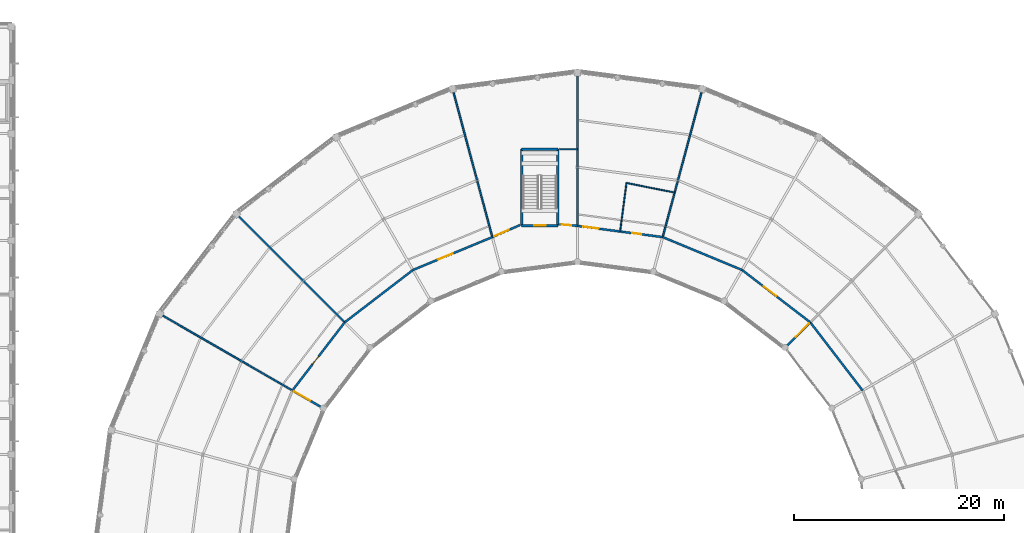
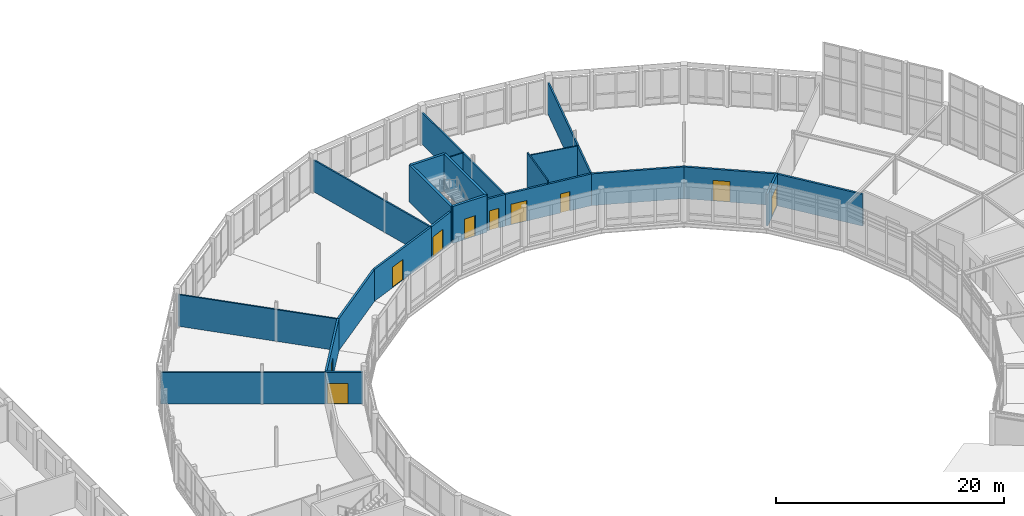
# One storey, part 163 of 185: 23 walls, 10 doors, 10 openings.
"""IFC4 building model written with IfcOpenShell, lengths in metres."""

from ifc_helpers import new_model, si_unit, direction, frame, frame_2d, origin, place, context, subcontext, project, spatial, rectangle, extrude, material, layer, layer_set, type_object, element, fill, save


model = new_model("IFC4")

# Units and contexts
model_context = context("Model", 3, precision=1e-05, world=origin(), true_north=direction((0.0, 1.0)))
body_context = subcontext(model_context, "Body", "Model", "MODEL_VIEW")
ifc_project = project(units=[si_unit("LENGTHUNIT", "METRE"), si_unit("AREAUNIT", "SQUARE_METRE"), si_unit("VOLUMEUNIT", "CUBIC_METRE"), si_unit("PLANEANGLEUNIT", "RADIAN"), si_unit("MASSUNIT", "GRAM", prefix="KILO")], contexts=[model_context])

# Site, building, storey
site_placement = place(None, origin())
site = spatial("IfcSite", under=ifc_project, at=site_placement, CompositionType="ELEMENT")
building_placement = place(site_placement, origin())
building = spatial("IfcBuilding", under=site, at=building_placement, Name="Vondelvale Polytechnic", CompositionType="ELEMENT")
storey_placement = place(building_placement, frame((0.0, 0.0, 9.60009765625)))
storey = spatial("IfcBuildingStorey", under=building, at=storey_placement, Name="L02", CompositionType="ELEMENT", Elevation=9.60009765625)

# Walls
ifc_material_1 = material(Name="Concrete N40 (f'c = 40 MPa)", Category="concrete")
ifc_layer_1 = layer(ifc_material_1, 0.25)
ifc_layer_set_1 = layer_set([ifc_layer_1], Name="WL-CORE-250")
wall_type_1 = type_object("IfcWallType", Name="WL-CORE-250", PredefinedType="SOLIDWALL", material=ifc_layer_set_1)
wall_1_placement = place(storey_placement, frame((100.125, 103.425048828125, 0.0), z_axis=(0.0, 0.0, 1.0), x_axis=(0.0, 1.0, 0.0)))
element("IfcWall", 1, at=wall_1_placement, inside=storey, type_object=wall_type_1, Name="L02 ST-09 reinforced concrete stair core wall", PredefinedType="SOLIDWALL", context=body_context, shape_type="SweptSolid", body=[
    extrude(rectangle(XDim=7.300048828125, YDim=0.25, at=frame_2d((3.64990234375, 0.0))), origin(), (0.0, 0.0, 1.0), 3.949951171875),
])
wall_2_placement = place(storey_placement, frame((100.125, 110.72509765625, 0.0), z_axis=(0.0, 0.0, 1.0), x_axis=(-1.0, 0.0, 0.0)))
element("IfcWall", 2, at=wall_2_placement, inside=storey, type_object=wall_type_1, Name="L02 ST-09 reinforced concrete stair core wall", PredefinedType="SOLIDWALL", context=body_context, shape_type="SweptSolid", body=[
    extrude(rectangle(XDim=3.449951171875, YDim=0.25, at=frame_2d((1.72509765625, 0.0))), origin(), (0.0, 0.0, 1.0), 3.949951171875),
])
wall_3_placement = place(storey_placement, frame((96.675048828125, 110.72509765625, 0.0), z_axis=(0.0, 0.0, 1.0), x_axis=(0.0, -1.0, 0.0)))
element("IfcWall", 3, at=wall_3_placement, inside=storey, type_object=wall_type_1, Name="L02 ST-09 reinforced concrete stair core wall", PredefinedType="SOLIDWALL", context=body_context, shape_type="SweptSolid", body=[
    extrude(rectangle(XDim=7.300048828125, YDim=0.25, at=frame_2d((3.64990234375, 0.0))), origin(), (0.0, 0.0, 1.0), 3.949951171875),
])

# Wall, opening, door
wall_4_placement = place(storey_placement, frame((96.675048828125, 103.425048828125, 0.0), z_axis=(0.0, 0.0, 1.0), x_axis=(1.0, 0.0, 0.0)))
wall_4 = element("IfcWall", 4, at=wall_4_placement, inside=storey, type_object=wall_type_1, Name="L02 ST-09 reinforced concrete stair core wall", PredefinedType="SOLIDWALL", context=body_context, shape_type="SweptSolid", body=[
    extrude(rectangle(XDim=3.449951171875, YDim=0.25, at=frame_2d((1.72509765625, 0.0))), origin(), (0.0, 0.0, 1.0), 3.949951171875),
])
opening_1_placement = place(wall_4_placement, frame((1.175048828125, 0.0, 0.0)))
opening_1 = element("IfcOpeningElement", 5, at=opening_1_placement, cuts=wall_4, Name="Opening SD-050", PredefinedType="OPENING", context=body_context, shape_type="SweptSolid", body=[
    extrude(rectangle(XDim=1.10009765625, YDim=2.199951171875, at=frame_2d((0.550048828125, 1.10009765625))), frame((0.0, 0.135009765625, 0.0), z_axis=(0.0, -1.0, 0.0), x_axis=(1.0, 0.0, 0.0)), (0.0, 0.0, 1.0), 0.27001953125),
])
ifc_material_2 = material(Name="Brushed architectural stainless and zinc-coated metal")
door_type_1 = type_object("IfcDoorType", Name="DR-STAIR-1100x2200", OperationType="SINGLE_SWING_LEFT", PredefinedType="DOOR", material=ifc_material_2)
door_1_placement = place(opening_1_placement, origin())
door_1 = element("IfcDoor", 6, at=door_1_placement, inside=storey, type_object=door_type_1, Name="L02 ST-09 fire-isolated stair door", OperationType="SINGLE_SWING_RIGHT", OverallHeight=2.199951171875, OverallWidth=1.10009765625, PredefinedType="DOOR", context=body_context, shape_type="SweptSolid", body=[
    extrude(rectangle(XDim=1.10009765625, YDim=2.199951171875, at=frame_2d((0.550048828125, 1.10009765625))), frame((0.0, 0.02490234375, 0.0), z_axis=(0.0, -1.0, 0.0), x_axis=(1.0, 0.0, 0.0)), (0.0, 0.0, 1.0), 0.050048828125),
])
fill(opening_1, door_1)

ifc_material_3 = material(Name="Fire-rated double-layer plasterboard stud partition")
ifc_layer_2 = layer(ifc_material_3, 0.199951171875)
ifc_layer_set_2 = layer_set([ifc_layer_2], Name="WL-CORR-200")
wall_type_2 = type_object("IfcWallType", Name="WL-CORR-200", PredefinedType="PARTITIONING", material=ifc_layer_set_2)
wall_5_placement = place(storey_placement, frame((121.8837890625, 91.8837890625, 0.0), z_axis=(0.0, 0.0, 1.0), x_axis=(0.707106781187, 0.707106781187, 0.0)))
wall_5 = element("IfcWall", 7, at=wall_5_placement, inside=storey, type_object=wall_type_2, Name="L02 interior acoustic partition", PredefinedType="PARTITIONING", context=body_context, shape_type="SweptSolid", body=[
    extrude(rectangle(XDim=3.280029296875, YDim=0.199951171875, at=frame_2d((1.64013671875, 0.0))), origin(), (0.0, 0.0, 1.0), 3.40185546875),
])
opening_2_placement = place(wall_5_placement, frame((1.320068359375, 0.0, 0.0)))
opening_2 = element("IfcOpeningElement", 8, at=opening_2_placement, cuts=wall_5, Name="Opening ID-0320", PredefinedType="OPENING", context=body_context, shape_type="SweptSolid", body=[
    extrude(rectangle(XDim=1.800048828125, YDim=2.199951171875, at=frame_2d((0.89990234375, 1.10009765625))), frame((0.0, 0.10986328125, 0.0), z_axis=(0.0, -1.0, 0.0), x_axis=(1.0, 0.0, 0.0)), (0.0, 0.0, 1.0), 0.219970703125),
])
ifc_material_4 = material(Name="Engineered Tasmanian oak studio and bridge joinery")
door_type_2 = type_object("IfcDoorType", Name="DR-COR-1800x2200", OperationType="DOUBLE_DOOR_SINGLE_SWING", PredefinedType="DOOR", material=ifc_material_4)
door_2_placement = place(opening_2_placement, origin())
door_2 = element("IfcDoor", 9, at=door_2_placement, inside=storey, type_object=door_type_2, Name="L02 interior room door ID-0320", OperationType="DOUBLE_DOOR_SINGLE_SWING", OverallHeight=2.199951171875, OverallWidth=1.800048828125, PredefinedType="DOOR", context=body_context, shape_type="SweptSolid", body=[
    extrude(rectangle(XDim=1.800048828125, YDim=2.199951171875, at=frame_2d((0.89990234375, 1.10009765625))), frame((0.0, 0.02490234375, 0.0), z_axis=(0.0, -1.0, 0.0), x_axis=(1.0, 0.0, 0.0)), (0.0, 0.0, 1.0), 0.050048828125),
])
fill(opening_2, door_2)

wall_6_placement = place(storey_placement, frame((77.6474609375, 86.06005859375, 0.0), z_axis=(0.0, 0.0, 1.0), x_axis=(-0.866040564224, 0.499973740429, 0.0)))
wall_6 = element("IfcWall", 10, at=wall_6_placement, inside=storey, type_object=wall_type_2, Name="L02 interior acoustic partition", PredefinedType="PARTITIONING", context=body_context, shape_type="SweptSolid", body=[
    extrude(rectangle(XDim=3.280029296875, YDim=0.199951171875, at=frame_2d((1.64013671875, 0.0))), origin(), (0.0, 0.0, 1.0), 3.40185546875),
])
opening_3_placement = place(wall_6_placement, frame((1.320068359375, 0.0, 0.0)))
opening_3 = element("IfcOpeningElement", 11, at=opening_3_placement, cuts=wall_6, Name="Opening ID-0321", PredefinedType="OPENING", context=body_context, shape_type="SweptSolid", body=[
    extrude(rectangle(XDim=1.800048828125, YDim=2.199951171875, at=frame_2d((0.89990234375, 1.10009765625))), frame((0.0, 0.10986328125, 0.0), z_axis=(0.0, -1.0, 0.0), x_axis=(1.0, 0.0, 0.0)), (0.0, 0.0, 1.0), 0.219970703125),
])
door_3_placement = place(opening_3_placement, origin())
door_3 = element("IfcDoor", 12, at=door_3_placement, inside=storey, type_object=door_type_2, Name="L02 interior room door ID-0321", OperationType="DOUBLE_DOOR_SINGLE_SWING", OverallHeight=2.199951171875, OverallWidth=1.800048828125, PredefinedType="DOOR", context=body_context, shape_type="SweptSolid", body=[
    extrude(rectangle(XDim=1.800048828125, YDim=2.199951171875, at=frame_2d((0.89990234375, 1.10009765625))), frame((0.0, 0.02490234375, 0.0), z_axis=(0.0, -1.0, 0.0), x_axis=(1.0, 0.0, 0.0)), (0.0, 0.0, 1.0), 0.050048828125),
])
fill(opening_3, door_3)

# Wall, openings, doors
wall_7_placement = place(storey_placement, frame((110.126953125, 102.330078125, 0.0), z_axis=(0.0, 0.0, 1.0), x_axis=(-0.991446589332, 0.130513066404, 0.0)))
wall_7 = element("IfcWall", 13, at=wall_7_placement, inside=storey, type_object=wall_type_2, Name="L02 interior acoustic partition", PredefinedType="PARTITIONING", context=body_context, shape_type="SweptSolid", body=[
    extrude(rectangle(XDim=8.197021484375, YDim=0.199951171875, at=frame_2d((4.0986328125, 0.0))), origin(), (0.0, 0.0, 1.0), 3.40185546875),
])
opening_4_placement = place(wall_7_placement, frame((2.050048828125, 0.0, 0.0)))
opening_4 = element("IfcOpeningElement", 14, at=opening_4_placement, cuts=wall_7, Name="Opening ID-0322", PredefinedType="OPENING", context=body_context, shape_type="SweptSolid", body=[
    extrude(rectangle(XDim=0.89990234375, YDim=2.050048828125, at=frame_2d((0.449951171875, 1.02490234375))), frame((0.0, 0.10986328125, 0.0), z_axis=(0.0, -1.0, 0.0), x_axis=(1.0, 0.0, 0.0)), (0.0, 0.0, 1.0), 0.219970703125),
])
opening_5_placement = place(wall_7_placement, frame((6.14990234375, 0.0, 0.0)))
opening_5 = element("IfcOpeningElement", 15, at=opening_5_placement, cuts=wall_7, Name="Opening ID-0323", PredefinedType="OPENING", context=body_context, shape_type="SweptSolid", body=[
    extrude(rectangle(XDim=1.5, YDim=2.199951171875, at=frame_2d((0.75, 1.10009765625))), frame((0.0, 0.10986328125, 0.0), z_axis=(0.0, -1.0, 0.0), x_axis=(1.0, 0.0, 0.0)), (0.0, 0.0, 1.0), 0.219970703125),
])
ifc_material_5 = material(Name="Fire-rated solid Tasmanian oak joinery")
door_type_3 = type_object("IfcDoorType", Name="DR-LAB-1500x2200", OperationType="DOUBLE_DOOR_SINGLE_SWING", PredefinedType="DOOR", material=ifc_material_5)
door_4_placement = place(opening_5_placement, origin())
door_4 = element("IfcDoor", 16, at=door_4_placement, inside=storey, type_object=door_type_3, Name="L02 interior room door ID-0323", OperationType="DOUBLE_DOOR_SINGLE_SWING", OverallHeight=2.199951171875, OverallWidth=1.5, PredefinedType="DOOR", context=body_context, shape_type="SweptSolid", body=[
    extrude(rectangle(XDim=1.5, YDim=2.199951171875, at=frame_2d((0.75, 1.10009765625))), frame((0.0, 0.02490234375, 0.0), z_axis=(0.0, -1.0, 0.0), x_axis=(1.0, 0.0, 0.0)), (0.0, 0.0, 1.0), 0.050048828125),
])
fill(opening_5, door_4)
door_type_4 = type_object("IfcDoorType", Name="DR-WC-0900x2050", OperationType="SINGLE_SWING_RIGHT", PredefinedType="DOOR", material=ifc_material_5)
door_5_placement = place(opening_4_placement, origin())
door_5 = element("IfcDoor", 17, at=door_5_placement, inside=storey, type_object=door_type_4, Name="L02 interior room door ID-0322", OperationType="SINGLE_SWING_RIGHT", OverallHeight=2.050048828125, OverallWidth=0.89990234375, PredefinedType="DOOR", context=body_context, shape_type="SweptSolid", body=[
    extrude(rectangle(XDim=0.89990234375, YDim=2.050048828125, at=frame_2d((0.449951171875, 1.02490234375))), frame((0.0, 0.02490234375, 0.0), z_axis=(0.0, -1.0, 0.0), x_axis=(1.0, 0.0, 0.0)), (0.0, 0.0, 1.0), 0.050048828125),
])
fill(opening_4, door_5)

# Wall, opening, door
wall_8_placement = place(storey_placement, frame((102.0, 103.39990234375, 0.0), z_axis=(0.0, 0.0, 1.0), x_axis=(-0.996807580938, 0.07984138391, 0.0)))
wall_8 = element("IfcWall", 18, at=wall_8_placement, inside=storey, type_object=wall_type_2, Name="L02 interior acoustic partition", PredefinedType="PARTITIONING", context=body_context, shape_type="SweptSolid", body=[
    extrude(rectangle(XDim=1.71533203125, YDim=0.199951171875, at=frame_2d((0.857666015625, 0.0))), origin(), (0.0, 0.0, 1.0), 3.40185546875),
])
opening_6_placement = place(wall_8_placement, frame((0.60546875, 0.0, 0.0)))
opening_6 = element("IfcOpeningElement", 19, at=opening_6_placement, cuts=wall_8, Name="Opening ID-0324", PredefinedType="OPENING", context=body_context, shape_type="SweptSolid", body=[
    extrude(rectangle(XDim=0.919921875, YDim=2.10009765625, at=frame_2d((0.4599609375, 1.050048828125))), frame((0.0, 0.10986328125, 0.0), z_axis=(0.0, -1.0, 0.0), x_axis=(1.0, 0.0, 0.0)), (0.0, 0.0, 1.0), 0.219970703125),
])
door_type_5 = type_object("IfcDoorType", Name="DR-INT-0920x2100", OperationType="SINGLE_SWING_LEFT", PredefinedType="DOOR", material=ifc_material_5)
door_6_placement = place(opening_6_placement, origin())
door_6 = element("IfcDoor", 20, at=door_6_placement, inside=storey, type_object=door_type_5, Name="L02 interior room door ID-0324", OperationType="SINGLE_SWING_RIGHT", OverallHeight=2.10009765625, OverallWidth=0.919921875, PredefinedType="DOOR", context=body_context, shape_type="SweptSolid", body=[
    extrude(rectangle(XDim=0.919921875, YDim=2.10009765625, at=frame_2d((0.4599609375, 1.050048828125))), frame((0.0, 0.02490234375, 0.0), z_axis=(0.0, -1.0, 0.0), x_axis=(1.0, 0.0, 0.0)), (0.0, 0.0, 1.0), 0.050048828125),
])
fill(opening_6, door_6)

wall_9_placement = place(storey_placement, frame((96.510009765625, 103.478271484375, 0.0), z_axis=(0.0, 0.0, 1.0), x_axis=(-0.916855346374, -0.399219580964, 0.0)))
wall_9 = element("IfcWall", 21, at=wall_9_placement, inside=storey, type_object=wall_type_2, Name="L02 interior acoustic partition", PredefinedType="PARTITIONING", context=body_context, shape_type="SweptSolid", body=[
    extrude(rectangle(XDim=2.8759765625, YDim=0.199951171875, at=frame_2d((1.43798828125, 0.0))), origin(), (0.0, 0.0, 1.0), 3.40185546875),
])
opening_7_placement = place(wall_9_placement, frame((1.170166015625, 0.0, 0.0)))
opening_7 = element("IfcOpeningElement", 22, at=opening_7_placement, cuts=wall_9, Name="Opening ID-0325", PredefinedType="OPENING", context=body_context, shape_type="SweptSolid", body=[
    extrude(rectangle(XDim=1.5, YDim=2.199951171875, at=frame_2d((0.75, 1.10009765625))), frame((0.0, 0.10986328125, 0.0), z_axis=(0.0, -1.0, 0.0), x_axis=(1.0, 0.0, 0.0)), (0.0, 0.0, 1.0), 0.219970703125),
])
door_7_placement = place(opening_7_placement, origin())
door_7 = element("IfcDoor", 23, at=door_7_placement, inside=storey, type_object=door_type_3, Name="L02 interior room door ID-0325", OperationType="DOUBLE_DOOR_SINGLE_SWING", OverallHeight=2.199951171875, OverallWidth=1.5, PredefinedType="DOOR", context=body_context, shape_type="SweptSolid", body=[
    extrude(rectangle(XDim=1.5, YDim=2.199951171875, at=frame_2d((0.75, 1.10009765625))), frame((0.0, 0.02490234375, 0.0), z_axis=(0.0, -1.0, 0.0), x_axis=(1.0, 0.0, 0.0)), (0.0, 0.0, 1.0), 0.050048828125),
])
fill(opening_7, door_7)

# Wall
wall_10_placement = place(storey_placement, frame((129.193115234375, 87.699951171875, 0.0), z_axis=(0.0, 0.0, 1.0), x_axis=(-0.608756011694, 0.793357497113, 0.0)))
element("IfcWall", 24, at=wall_10_placement, inside=storey, type_object=wall_type_2, Name="L02 interior acoustic partition", PredefinedType="PARTITIONING", context=body_context, shape_type="SweptSolid", body=[
    extrude(rectangle(XDim=8.197021484375, YDim=0.199951171875, at=frame_2d((4.0986328125, 0.0))), origin(), (0.0, 0.0, 1.0), 3.40185546875),
])

# Wall, opening, door
wall_11_placement = place(storey_placement, frame((124.203125, 94.203125, 0.0), z_axis=(0.0, 0.0, 1.0), x_axis=(-0.793357497113, 0.608756011694, 0.0)))
wall_11 = element("IfcWall", 25, at=wall_11_placement, inside=storey, type_object=wall_type_2, Name="L02 interior acoustic partition", PredefinedType="PARTITIONING", context=body_context, shape_type="SweptSolid", body=[
    extrude(rectangle(XDim=8.197021484375, YDim=0.199951171875, at=frame_2d((4.0986328125, 0.0))), origin(), (0.0, 0.0, 1.0), 3.40185546875),
])
opening_8_placement = place(wall_11_placement, frame((4.10009765625, 0.0, 0.0)))
opening_8 = element("IfcOpeningElement", 26, at=opening_8_placement, cuts=wall_11, Name="Opening ID-0337", PredefinedType="OPENING", context=body_context, shape_type="SweptSolid", body=[
    extrude(rectangle(XDim=1.5, YDim=2.199951171875, at=frame_2d((0.75, 1.10009765625))), frame((0.0, 0.10986328125, 0.0), z_axis=(0.0, -1.0, 0.0), x_axis=(1.0, 0.0, 0.0)), (0.0, 0.0, 1.0), 0.219970703125),
])
door_8_placement = place(opening_8_placement, origin())
door_8 = element("IfcDoor", 27, at=door_8_placement, inside=storey, type_object=door_type_3, Name="L02 interior room door ID-0337", OperationType="DOUBLE_DOOR_SINGLE_SWING", OverallHeight=2.199951171875, OverallWidth=1.5, PredefinedType="DOOR", context=body_context, shape_type="SweptSolid", body=[
    extrude(rectangle(XDim=1.5, YDim=2.199951171875, at=frame_2d((0.75, 1.10009765625))), frame((0.0, 0.02490234375, 0.0), z_axis=(0.0, -1.0, 0.0), x_axis=(1.0, 0.0, 0.0)), (0.0, 0.0, 1.0), 0.050048828125),
])
fill(opening_8, door_8)

# Wall
wall_12_placement = place(storey_placement, frame((117.699951171875, 99.193115234375, 0.0), z_axis=(0.0, 0.0, 1.0), x_axis=(-0.923874167149, 0.382696385238, 0.0)))
element("IfcWall", 28, at=wall_12_placement, inside=storey, type_object=wall_type_2, Name="L02 interior acoustic partition", PredefinedType="PARTITIONING", context=body_context, shape_type="SweptSolid", body=[
    extrude(rectangle(XDim=8.197021484375, YDim=0.199951171875, at=frame_2d((4.0986328125, 0.0))), origin(), (0.0, 0.0, 1.0), 3.40185546875),
])

# Wall, opening, door
wall_13_placement = place(storey_placement, frame((93.873046875, 102.330078125, 0.0), z_axis=(0.0, 0.0, 1.0), x_axis=(-0.923874167149, -0.382696385238, 0.0)))
wall_13 = element("IfcWall", 29, at=wall_13_placement, inside=storey, type_object=wall_type_2, Name="L02 interior acoustic partition", PredefinedType="PARTITIONING", context=body_context, shape_type="SweptSolid", body=[
    extrude(rectangle(XDim=8.197021484375, YDim=0.199951171875, at=frame_2d((4.0986328125, 0.0))), origin(), (0.0, 0.0, 1.0), 3.40185546875),
])
opening_9_placement = place(wall_13_placement, frame((4.10009765625, 0.0, 0.0)))
opening_9 = element("IfcOpeningElement", 30, at=opening_9_placement, cuts=wall_13, Name="Opening ID-0338", PredefinedType="OPENING", context=body_context, shape_type="SweptSolid", body=[
    extrude(rectangle(XDim=1.5, YDim=2.199951171875, at=frame_2d((0.75, 1.10009765625))), frame((0.0, 0.10986328125, 0.0), z_axis=(0.0, -1.0, 0.0), x_axis=(1.0, 0.0, 0.0)), (0.0, 0.0, 1.0), 0.219970703125),
])
door_9_placement = place(opening_9_placement, origin())
door_9 = element("IfcDoor", 31, at=door_9_placement, inside=storey, type_object=door_type_3, Name="L02 interior room door ID-0338", OperationType="DOUBLE_DOOR_SINGLE_SWING", OverallHeight=2.199951171875, OverallWidth=1.5, PredefinedType="DOOR", context=body_context, shape_type="SweptSolid", body=[
    extrude(rectangle(XDim=1.5, YDim=2.199951171875, at=frame_2d((0.75, 1.10009765625))), frame((0.0, 0.02490234375, 0.0), z_axis=(0.0, -1.0, 0.0), x_axis=(1.0, 0.0, 0.0)), (0.0, 0.0, 1.0), 0.050048828125),
])
fill(opening_9, door_9)

# Wall
wall_14_placement = place(storey_placement, frame((86.300048828125, 99.193115234375, 0.0), z_axis=(0.0, 0.0, 1.0), x_axis=(-0.793357497113, -0.608756011694, 0.0)))
element("IfcWall", 32, at=wall_14_placement, inside=storey, type_object=wall_type_2, Name="L02 interior acoustic partition", PredefinedType="PARTITIONING", context=body_context, shape_type="SweptSolid", body=[
    extrude(rectangle(XDim=8.197021484375, YDim=0.199951171875, at=frame_2d((4.0986328125, 0.0))), origin(), (0.0, 0.0, 1.0), 3.40185546875),
])

# Wall, opening, door
wall_15_placement = place(storey_placement, frame((79.796875, 94.203125, 0.0), z_axis=(0.0, 0.0, 1.0), x_axis=(-0.608756011694, -0.793357497113, 0.0)))
wall_15 = element("IfcWall", 33, at=wall_15_placement, inside=storey, type_object=wall_type_2, Name="L02 interior acoustic partition", PredefinedType="PARTITIONING", context=body_context, shape_type="SweptSolid", body=[
    extrude(rectangle(XDim=8.197021484375, YDim=0.199951171875, at=frame_2d((4.0986328125, 0.0))), origin(), (0.0, 0.0, 1.0), 3.40185546875),
])
opening_10_placement = place(wall_15_placement, frame((4.10009765625, 0.0, 0.0)))
opening_10 = element("IfcOpeningElement", 34, at=opening_10_placement, cuts=wall_15, Name="Opening ID-0339", PredefinedType="OPENING", context=body_context, shape_type="SweptSolid", body=[
    extrude(rectangle(XDim=0.919921875, YDim=2.10009765625, at=frame_2d((0.4599609375, 1.050048828125))), frame((0.0, 0.10986328125, 0.0), z_axis=(0.0, -1.0, 0.0), x_axis=(1.0, 0.0, 0.0)), (0.0, 0.0, 1.0), 0.219970703125),
])
door_10_placement = place(opening_10_placement, origin())
door_10 = element("IfcDoor", 35, at=door_10_placement, inside=storey, type_object=door_type_5, Name="L02 interior room door ID-0339", OperationType="SINGLE_SWING_LEFT", OverallHeight=2.10009765625, OverallWidth=0.919921875, PredefinedType="DOOR", context=body_context, shape_type="SweptSolid", body=[
    extrude(rectangle(XDim=0.919921875, YDim=2.10009765625, at=frame_2d((0.4599609375, 1.050048828125))), frame((0.0, 0.02490234375, 0.0), z_axis=(0.0, -1.0, 0.0), x_axis=(1.0, 0.0, 0.0)), (0.0, 0.0, 1.0), 0.050048828125),
])
fill(opening_10, door_10)

# Walls
ifc_layer_3 = layer(ifc_material_3, 0.1201171875)
ifc_layer_set_3 = layer_set([ifc_layer_3], Name="WL-INT-120")
wall_type_3 = type_object("IfcWallType", Name="WL-INT-120", PredefinedType="PARTITIONING", material=ifc_layer_set_3)
wall_16_placement = place(storey_placement, frame((106.0634765625, 102.864990234375, 0.0), z_axis=(0.0, 0.0, 1.0), x_axis=(0.130526207551, 0.991444859356, 0.0)))
element("IfcWall", 36, at=wall_16_placement, inside=storey, type_object=wall_type_3, Name="L02 interior acoustic partition", PredefinedType="PARTITIONING", context=body_context, shape_type="SweptSolid", body=[
    extrude(rectangle(XDim=4.668701171875, YDim=0.1201171875, at=frame_2d((2.33447265625, 0.0))), origin(), (0.0, 0.0, 1.0), 3.726806640625),
])
wall_17_placement = place(storey_placement, frame((111.265625, 106.580078125, 0.0), z_axis=(0.0, 0.0, 1.0), x_axis=(-0.980784676414, 0.195093358449, 0.0)))
element("IfcWall", 37, at=wall_17_placement, inside=storey, type_object=wall_type_3, Name="L02 interior acoustic partition", PredefinedType="PARTITIONING", context=body_context, shape_type="SweptSolid", body=[
    extrude(rectangle(XDim=4.682861328125, YDim=0.1201171875, at=frame_2d((2.34130859375, 0.0))), origin(), (0.0, 0.0, 1.0), 3.40185546875),
])
wall_18_placement = place(storey_placement, frame((100.2900390625, 110.722900390625, 0.0), z_axis=(0.0, 0.0, 1.0), x_axis=(0.999909951855, -0.013419693814, 0.0)))
element("IfcWall", 38, at=wall_18_placement, inside=storey, type_object=wall_type_3, Name="L02 interior acoustic partition", PredefinedType="PARTITIONING", context=body_context, shape_type="SweptSolid", body=[
    extrude(rectangle(XDim=1.710205078125, YDim=0.1201171875, at=frame_2d((0.85498046875, 0.0))), origin(), (0.0, 0.0, 1.0), 3.39697265625),
])
ifc_layer_4 = layer(ifc_material_3, 0.14990234375)
ifc_layer_set_4 = layer_set([ifc_layer_4], Name="WL-INT-150")
wall_type_4 = type_object("IfcWallType", Name="WL-INT-150", PredefinedType="PARTITIONING", material=ifc_layer_set_4)
for number, where, z_axis, x_axis, name in (
    (39, (110.126953125, 102.330078125, 0.0), (0.0, 0.0, 1.0), (0.258810530041, 0.965928107853, 0.0), "L02 interior acoustic partition"),
    (40, (102.0, 103.39990234375, 0.0), (0.0, 0.0, 1.0), (0.0, 1.0, 0.0), "L02 interior acoustic partition"),
    (41, (93.873046875, 102.330078125, 0.0), (0.0, 0.0, 1.0), (-0.258810530041, 0.965928107853, 0.0), "L02 interior acoustic partition"),
):
    element("IfcWall", number, at=place(storey_placement, frame(where, z_axis=z_axis, x_axis=x_axis)), inside=storey, type_object=wall_type_4, Name=name, PredefinedType="PARTITIONING", context=body_context, shape_type="SweptSolid", body=[
        extrude(rectangle(XDim=14.47998046875, YDim=0.14990234375, at=frame_2d((7.239990234375, 0.0))), origin(), (0.0, 0.0, 1.0), 3.39697265625),
    ])
wall_19_placement = place(storey_placement, frame((79.796875, 94.203125, 0.0), z_axis=(0.0, 0.0, 1.0), x_axis=(-0.707106781187, 0.707106781187, 0.0)))
element("IfcWall", 42, at=wall_19_placement, inside=storey, type_object=wall_type_4, Name="L02 interior acoustic partition", PredefinedType="PARTITIONING", context=body_context, shape_type="SweptSolid", body=[
    extrude(rectangle(XDim=14.480224609375, YDim=0.14990234375, at=frame_2d((7.240234375, 0.0))), origin(), (0.0, 0.0, 1.0), 3.39697265625),
])
wall_20_placement = place(storey_placement, frame((74.806884765625, 87.699951171875, 0.0), z_axis=(0.0, 0.0, 1.0), x_axis=(-0.866025544155, 0.499999756871, 0.0)))
element("IfcWall", 43, at=wall_20_placement, inside=storey, type_object=wall_type_4, Name="L02 interior acoustic partition", PredefinedType="PARTITIONING", context=body_context, shape_type="SweptSolid", body=[
    extrude(rectangle(XDim=14.47998046875, YDim=0.14990234375, at=frame_2d((7.239990234375, 0.0))), origin(), (0.0, 0.0, 1.0), 3.39697265625),
])

save(model, "model.ifc")
